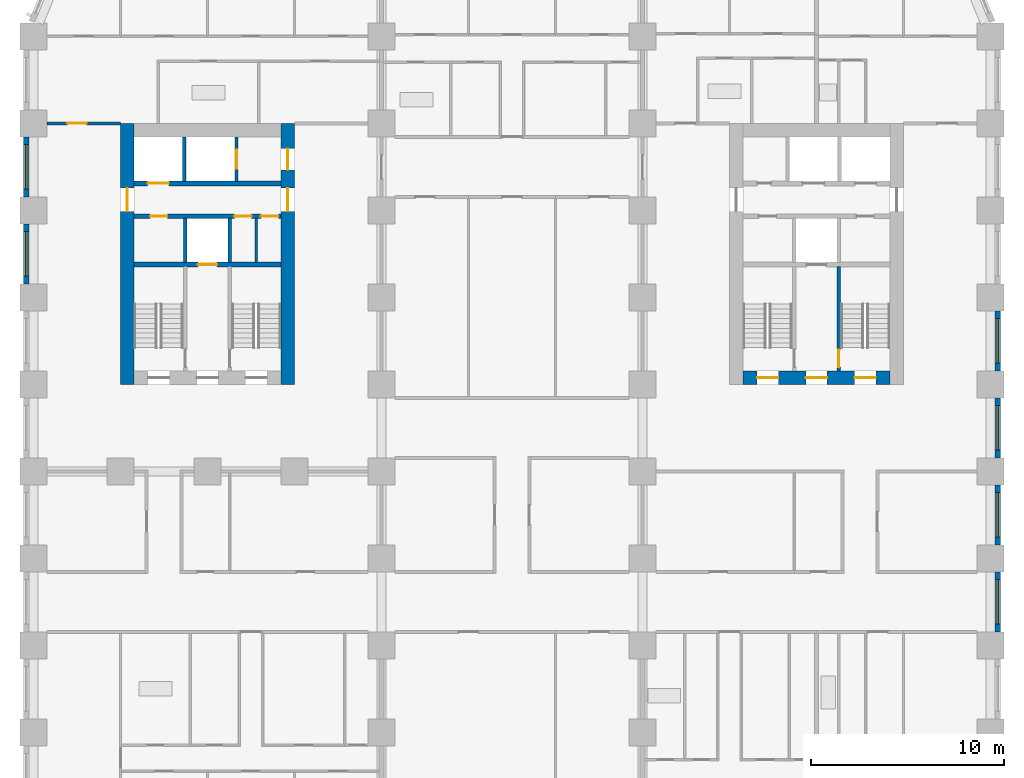
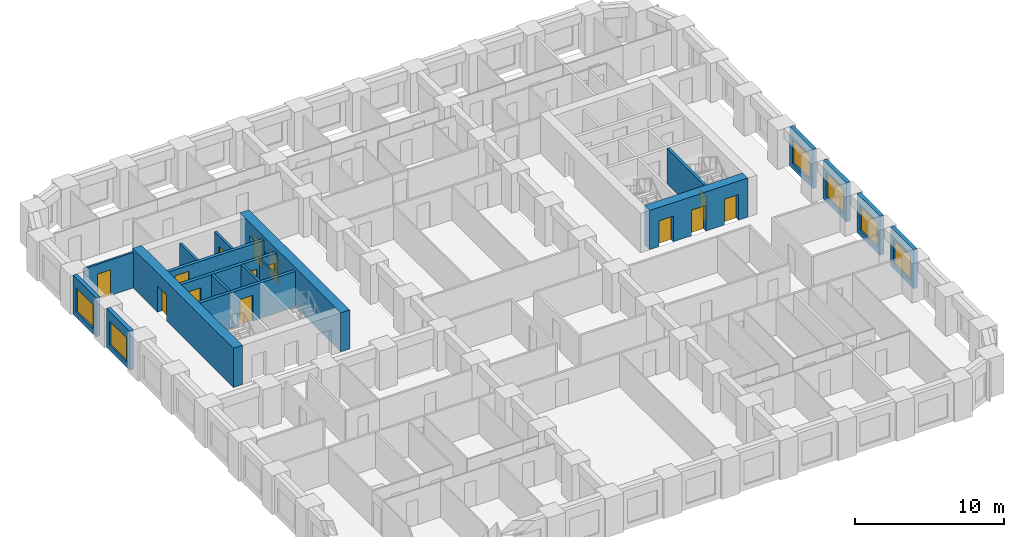
# One storey, part 6 of 13: 19 walls, 14 doors, 6 windows, 20 openings.
"""IFC4 building model written with IfcOpenShell, lengths in metres."""

from ifc_helpers import new_model, si_unit, direction, frame, frame_2d, origin, place, context, subcontext, project, spatial, rectangle, extrude, material, layer, layer_set, type_object, element, fill, save


model = new_model("IFC4")

# Units and contexts
model_context = context("Model", 3, precision=1e-05, world=origin(), true_north=direction((0.0, 1.0)))
body_context = subcontext(model_context, "Body", "Model", "MODEL_VIEW")
ifc_project = project(units=[si_unit("LENGTHUNIT", "METRE"), si_unit("AREAUNIT", "SQUARE_METRE"), si_unit("VOLUMEUNIT", "CUBIC_METRE"), si_unit("PLANEANGLEUNIT", "RADIAN"), si_unit("MASSUNIT", "GRAM", prefix="KILO")], contexts=[model_context])

# Site, building, storey
site_placement = place(None, origin())
site = spatial("IfcSite", under=ifc_project, at=site_placement, CompositionType="ELEMENT")
building_placement = place(site_placement, origin())
building = spatial("IfcBuilding", under=site, at=building_placement, Name="Girih Gate Residences", CompositionType="ELEMENT")
storey_placement = place(building_placement, frame((0.0, 0.0, 49.60009765625)))
storey = spatial("IfcBuildingStorey", under=building, at=storey_placement, Name="L12", CompositionType="ELEMENT", Elevation=49.60009765625)

# Wall, opening, door
ifc_material_1 = material(Name="Gypsum board on steel studs", Category="steel")
ifc_layer_1 = layer(ifc_material_1, 0.14990234375)
ifc_layer_set_1 = layer_set([ifc_layer_1], Name="Compartment wall 150 mm")
wall_type_1 = type_object("IfcWallType", Name="Compartment wall 150 mm", PredefinedType="PARTITIONING", material=ifc_layer_set_1)
wall_1_placement = place(storey_placement, frame((0.699951171875, 40.5, 0.0), z_axis=(0.0, 0.0, 1.0), x_axis=(1.0, 0.0, 0.0)))
wall_1 = element("IfcWall", 1, at=wall_1_placement, inside=storey, type_object=wall_type_1, Name="L12 partition", PredefinedType="PARTITIONING", context=body_context, shape_type="SweptSolid", body=[
    extrude(rectangle(XDim=3.800048828125, YDim=0.14990234375, at=frame_2d((1.89990234375, 0.0))), origin(), (0.0, 0.0, 1.0), 2.89990234375),
])
opening_1_placement = place(wall_1_placement, frame((1.050048828125, 0.0, 0.0)))
opening_1 = element("IfcOpeningElement", 2, at=opening_1_placement, cuts=wall_1, Name="Opening A12-016", PredefinedType="OPENING", context=body_context, shape_type="SweptSolid", body=[
    extrude(rectangle(XDim=1.0, YDim=2.10009765625, at=frame_2d((0.5, 1.050048828125))), frame((0.0, 0.0849609375, 0.0), z_axis=(0.0, -1.0, 0.0), x_axis=(1.0, 0.0, 0.0)), (0.0, 0.0, 1.0), 0.169921875),
])
ifc_material_2 = material(Name="Timber, fire-rated core", Category="wood")
door_type_1 = type_object("IfcDoorType", Name="Flat entrance door 1000x2100 FD30S", OperationType="NOTDEFINED", PredefinedType="DOOR", material=ifc_material_2)
door_1_placement = place(opening_1_placement, origin())
door_1 = element("IfcDoor", 3, at=door_1_placement, inside=storey, type_object=door_type_1, Name="Door A12-016", OperationType="SINGLE_SWING_LEFT", OverallHeight=2.10009765625, OverallWidth=1.0, PredefinedType="DOOR", context=body_context, shape_type="SweptSolid", body=[
    extrude(rectangle(XDim=1.0, YDim=2.10009765625, at=frame_2d((0.5, 1.050048828125))), frame((0.0, 0.02490234375, 0.0), z_axis=(0.0, -1.0, 0.0), x_axis=(1.0, 0.0, 0.0)), (0.0, 0.0, 1.0), 0.050048828125),
])
fill(opening_1, door_1)

ifc_material_3 = material(Name="Concrete C60/75", Category="concrete")
ifc_layer_2 = layer(ifc_material_3, 0.699951171875)
ifc_layer_set_2 = layer_set([ifc_layer_2], Name="Core wall RC 700 Concrete C60/75")
wall_type_2 = type_object("IfcWallType", Name="Core wall RC 700 Concrete C60/75", PredefinedType="SOLIDWALL", material=ifc_layer_set_2)
wall_2_placement = place(storey_placement, frame((4.85009765625, 27.0, 0.0), z_axis=(0.0, 0.0, 1.0), x_axis=(0.0, 1.0, 0.0)))
wall_2 = element("IfcWall", 4, at=wall_2_placement, inside=storey, type_object=wall_type_2, Name="Core wall W-W L12", PredefinedType="SOLIDWALL", context=body_context, shape_type="SweptSolid", body=[
    extrude(rectangle(XDim=13.5, YDim=0.699951171875, at=frame_2d((6.75, 0.0))), origin(), (0.0, 0.0, 1.0), 3.199951171875),
])
opening_2_placement = place(wall_2_placement, frame((8.949951171875, 0.0, 0.0)))
opening_2 = element("IfcOpeningElement", 5, at=opening_2_placement, cuts=wall_2, Name="Opening D-L12-W-013", PredefinedType="OPENING", context=body_context, shape_type="SweptSolid", body=[
    extrude(rectangle(XDim=1.199951171875, YDim=2.10009765625, at=frame_2d((0.60009765625, 1.050048828125))), frame((0.0, 0.35986328125, 0.0), z_axis=(0.0, -1.0, 0.0), x_axis=(1.0, 0.0, 0.0)), (0.0, 0.0, 1.0), 0.719970703125),
])
ifc_material_4 = material(Name="Painted steel, fire-resisting", Category="steel")
door_type_2 = type_object("IfcDoorType", Name="Fire door 1200x2100", OperationType="SINGLE_SWING_LEFT", PredefinedType="DOOR", material=ifc_material_4)
door_2_placement = place(opening_2_placement, origin())
door_2 = element("IfcDoor", 6, at=door_2_placement, inside=storey, type_object=door_type_2, Name="L12 W core door ll-w", OperationType="SINGLE_SWING_LEFT", OverallHeight=2.10009765625, OverallWidth=1.199951171875, PredefinedType="DOOR", context=body_context, shape_type="SweptSolid", body=[
    extrude(rectangle(XDim=1.199951171875, YDim=2.10009765625, at=frame_2d((0.60009765625, 1.050048828125))), frame((0.0, 0.02490234375, 0.0), z_axis=(0.0, -1.0, 0.0), x_axis=(1.0, 0.0, 0.0)), (0.0, 0.0, 1.0), 0.050048828125),
])
fill(opening_2, door_2)

# Wall, openings, doors
wall_3_placement = place(storey_placement, frame((13.14990234375, 27.0, 0.0), z_axis=(0.0, 0.0, 1.0), x_axis=(0.0, 1.0, 0.0)))
wall_3 = element("IfcWall", 7, at=wall_3_placement, inside=storey, type_object=wall_type_2, Name="Core wall W-E L12", PredefinedType="SOLIDWALL", context=body_context, shape_type="SweptSolid", body=[
    extrude(rectangle(XDim=13.5, YDim=0.699951171875, at=frame_2d((6.75, 0.0))), origin(), (0.0, 0.0, 1.0), 3.199951171875),
])
opening_3_placement = place(wall_3_placement, frame((11.10009765625, 0.0, 0.0)))
opening_3 = element("IfcOpeningElement", 8, at=opening_3_placement, cuts=wall_3, Name="Opening D-L12-W-012", PredefinedType="OPENING", context=body_context, shape_type="SweptSolid", body=[
    extrude(rectangle(XDim=1.10009765625, YDim=2.10009765625, at=frame_2d((0.550048828125, 1.050048828125))), frame((0.0, 0.35986328125, 0.0), z_axis=(0.0, -1.0, 0.0), x_axis=(1.0, 0.0, 0.0)), (0.0, 0.0, 1.0), 0.719970703125),
])
opening_4_placement = place(wall_3_placement, frame((8.949951171875, 0.0, 0.0)))
opening_4 = element("IfcOpeningElement", 9, at=opening_4_placement, cuts=wall_3, Name="Opening D-L12-W-014", PredefinedType="OPENING", context=body_context, shape_type="SweptSolid", body=[
    extrude(rectangle(XDim=1.199951171875, YDim=2.10009765625, at=frame_2d((0.60009765625, 1.050048828125))), frame((0.0, 0.35986328125, 0.0), z_axis=(0.0, -1.0, 0.0), x_axis=(1.0, 0.0, 0.0)), (0.0, 0.0, 1.0), 0.719970703125),
])
door_type_3 = type_object("IfcDoorType", Name="Fire door 1100x2100", OperationType="SINGLE_SWING_LEFT", PredefinedType="DOOR", material=ifc_material_4)
door_3_placement = place(opening_3_placement, origin())
door_3 = element("IfcDoor", 10, at=door_3_placement, inside=storey, type_object=door_type_3, Name="L12 W core door ffl2-e", OperationType="SINGLE_SWING_LEFT", OverallHeight=2.10009765625, OverallWidth=1.10009765625, PredefinedType="DOOR", context=body_context, shape_type="SweptSolid", body=[
    extrude(rectangle(XDim=1.10009765625, YDim=2.10009765625, at=frame_2d((0.550048828125, 1.050048828125))), frame((0.0, 0.02490234375, 0.0), z_axis=(0.0, -1.0, 0.0), x_axis=(1.0, 0.0, 0.0)), (0.0, 0.0, 1.0), 0.050048828125),
])
fill(opening_3, door_3)
door_4_placement = place(opening_4_placement, origin())
door_4 = element("IfcDoor", 11, at=door_4_placement, inside=storey, type_object=door_type_2, Name="L12 W core door ll-e", OperationType="SINGLE_SWING_LEFT", OverallHeight=2.10009765625, OverallWidth=1.199951171875, PredefinedType="DOOR", context=body_context, shape_type="SweptSolid", body=[
    extrude(rectangle(XDim=1.199951171875, YDim=2.10009765625, at=frame_2d((0.60009765625, 1.050048828125))), frame((0.0, 0.02490234375, 0.0), z_axis=(0.0, -1.0, 0.0), x_axis=(1.0, 0.0, 0.0)), (0.0, 0.0, 1.0), 0.050048828125),
])
fill(opening_4, door_4)

wall_4_placement = place(storey_placement, frame((36.699951171875, 27.35009765625, 0.0), z_axis=(0.0, 0.0, 1.0), x_axis=(1.0, 0.0, 0.0)))
wall_4 = element("IfcWall", 12, at=wall_4_placement, inside=storey, type_object=wall_type_2, Name="Core wall E-S L12", PredefinedType="SOLIDWALL", context=body_context, shape_type="SweptSolid", body=[
    extrude(rectangle(XDim=7.60009765625, YDim=0.699951171875, at=frame_2d((3.800048828125, 0.0))), origin(), (0.0, 0.0, 1.0), 3.199951171875),
])
opening_5_placement = place(wall_4_placement, frame((5.77490234375, 0.0, 0.0)))
opening_5 = element("IfcOpeningElement", 13, at=opening_5_placement, cuts=wall_4, Name="Opening D-L12-E-009", PredefinedType="OPENING", context=body_context, shape_type="SweptSolid", body=[
    extrude(rectangle(XDim=1.10009765625, YDim=2.10009765625, at=frame_2d((0.550048828125, 1.050048828125))), frame((0.0, 0.35986328125, 0.0), z_axis=(0.0, -1.0, 0.0), x_axis=(1.0, 0.0, 0.0)), (0.0, 0.0, 1.0), 0.719970703125),
])
opening_6_placement = place(wall_4_placement, frame((3.25, 0.0, 0.0)))
opening_6 = element("IfcOpeningElement", 14, at=opening_6_placement, cuts=wall_4, Name="Opening D-L12-E-010", PredefinedType="OPENING", context=body_context, shape_type="SweptSolid", body=[
    extrude(rectangle(XDim=1.10009765625, YDim=2.10009765625, at=frame_2d((0.550048828125, 1.050048828125))), frame((0.0, 0.35986328125, 0.0), z_axis=(0.0, -1.0, 0.0), x_axis=(1.0, 0.0, 0.0)), (0.0, 0.0, 1.0), 0.719970703125),
])
opening_7_placement = place(wall_4_placement, frame((0.72509765625, 0.0, 0.0)))
opening_7 = element("IfcOpeningElement", 15, at=opening_7_placement, cuts=wall_4, Name="Opening D-L12-E-011", PredefinedType="OPENING", context=body_context, shape_type="SweptSolid", body=[
    extrude(rectangle(XDim=1.10009765625, YDim=2.10009765625, at=frame_2d((0.550048828125, 1.050048828125))), frame((0.0, 0.35986328125, 0.0), z_axis=(0.0, -1.0, 0.0), x_axis=(1.0, 0.0, 0.0)), (0.0, 0.0, 1.0), 0.719970703125),
])
door_5_placement = place(opening_5_placement, origin())
door_5 = element("IfcDoor", 16, at=door_5_placement, inside=storey, type_object=door_type_3, Name="L12 E core door sta-out", OperationType="SINGLE_SWING_LEFT", OverallHeight=2.10009765625, OverallWidth=1.10009765625, PredefinedType="DOOR", context=body_context, shape_type="SweptSolid", body=[
    extrude(rectangle(XDim=1.10009765625, YDim=2.10009765625, at=frame_2d((0.550048828125, 1.050048828125))), frame((0.0, 0.02490234375, 0.0), z_axis=(0.0, -1.0, 0.0), x_axis=(1.0, 0.0, 0.0)), (0.0, 0.0, 1.0), 0.050048828125),
])
fill(opening_5, door_5)
door_6_placement = place(opening_6_placement, origin())
door_6 = element("IfcDoor", 17, at=door_6_placement, inside=storey, type_object=door_type_3, Name="L12 E core door ffl-out", OperationType="SINGLE_SWING_LEFT", OverallHeight=2.10009765625, OverallWidth=1.10009765625, PredefinedType="DOOR", context=body_context, shape_type="SweptSolid", body=[
    extrude(rectangle(XDim=1.10009765625, YDim=2.10009765625, at=frame_2d((0.550048828125, 1.050048828125))), frame((0.0, 0.02490234375, 0.0), z_axis=(0.0, -1.0, 0.0), x_axis=(1.0, 0.0, 0.0)), (0.0, 0.0, 1.0), 0.050048828125),
])
fill(opening_6, door_6)
door_7_placement = place(opening_7_placement, origin())
door_7 = element("IfcDoor", 18, at=door_7_placement, inside=storey, type_object=door_type_3, Name="L12 E core door stb-out", OperationType="SINGLE_SWING_LEFT", OverallHeight=2.10009765625, OverallWidth=1.10009765625, PredefinedType="DOOR", context=body_context, shape_type="SweptSolid", body=[
    extrude(rectangle(XDim=1.10009765625, YDim=2.10009765625, at=frame_2d((0.550048828125, 1.050048828125))), frame((0.0, 0.02490234375, 0.0), z_axis=(0.0, -1.0, 0.0), x_axis=(1.0, 0.0, 0.0)), (0.0, 0.0, 1.0), 0.050048828125),
])
fill(opening_7, door_7)

# Wall, opening, door
ifc_material_5 = material(Name="Concrete C40/50", Category="concrete")
ifc_layer_3 = layer(ifc_material_5, 0.25)
ifc_layer_set_3 = layer_set([ifc_layer_3], Name="Lift shaft wall 250")
wall_type_3 = type_object("IfcWallType", Name="Lift shaft wall 250", PredefinedType="SOLIDWALL", material=ifc_layer_set_3)
wall_5_placement = place(storey_placement, frame((5.199951171875, 33.199951171875, 0.0), z_axis=(0.0, 0.0, 1.0), x_axis=(1.0, 0.0, 0.0)))
wall_5 = element("IfcWall", 19, at=wall_5_placement, inside=storey, type_object=wall_type_3, Name="L12 W core wall H1", PredefinedType="SOLIDWALL", context=body_context, shape_type="SweptSolid", body=[
    extrude(rectangle(XDim=7.60009765625, YDim=0.25, at=frame_2d((3.800048828125, 0.0))), origin(), (0.0, 0.0, 1.0), 2.89990234375),
])
opening_8_placement = place(wall_5_placement, frame((3.300048828125, 0.0, 0.0)))
opening_8 = element("IfcOpeningElement", 20, at=opening_8_placement, cuts=wall_5, Name="Opening D-L12-W-005", PredefinedType="OPENING", context=body_context, shape_type="SweptSolid", body=[
    extrude(rectangle(XDim=1.0, YDim=2.10009765625, at=frame_2d((0.5, 1.050048828125))), frame((0.0, 0.135009765625, 0.0), z_axis=(0.0, -1.0, 0.0), x_axis=(1.0, 0.0, 0.0)), (0.0, 0.0, 1.0), 0.27001953125),
])
ifc_material_6 = material(Name="Stainless steel, fire-resisting", Category="steel")
door_type_4 = type_object("IfcDoorType", Name="Firefighting lift landing door 1000x2100", OperationType="SLIDING_TO_LEFT", PredefinedType="DOOR", material=ifc_material_6)
door_8_placement = place(opening_8_placement, origin())
door_8 = element("IfcDoor", 21, at=door_8_placement, inside=storey, type_object=door_type_4, Name="L12 lift FF-W landing door", OperationType="SLIDING_TO_LEFT", OverallHeight=2.10009765625, OverallWidth=1.0, PredefinedType="DOOR", context=body_context, shape_type="SweptSolid", body=[
    extrude(rectangle(XDim=1.0, YDim=2.10009765625, at=frame_2d((0.5, 1.050048828125))), frame((0.0, 0.02490234375, 0.0), z_axis=(0.0, -1.0, 0.0), x_axis=(1.0, 0.0, 0.0)), (0.0, 0.0, 1.0), 0.050048828125),
])
fill(opening_8, door_8)

# Wall, openings, doors
wall_6_placement = place(storey_placement, frame((5.199951171875, 35.699951171875, 0.0), z_axis=(0.0, 0.0, 1.0), x_axis=(1.0, 0.0, 0.0)))
wall_6 = element("IfcWall", 22, at=wall_6_placement, inside=storey, type_object=wall_type_3, Name="L12 W core wall H2", PredefinedType="SOLIDWALL", context=body_context, shape_type="SweptSolid", body=[
    extrude(rectangle(XDim=7.60009765625, YDim=0.25, at=frame_2d((3.800048828125, 0.0))), origin(), (0.0, 0.0, 1.0), 2.89990234375),
])
opening_9_placement = place(wall_6_placement, frame((0.824951171875, 0.0, 0.0)))
opening_9 = element("IfcOpeningElement", 23, at=opening_9_placement, cuts=wall_6, Name="Opening D-L12-W-006", PredefinedType="OPENING", context=body_context, shape_type="SweptSolid", body=[
    extrude(rectangle(XDim=0.89990234375, YDim=2.10009765625, at=frame_2d((0.449951171875, 1.050048828125))), frame((0.0, 0.135009765625, 0.0), z_axis=(0.0, -1.0, 0.0), x_axis=(1.0, 0.0, 0.0)), (0.0, 0.0, 1.0), 0.27001953125),
])
opening_10_placement = place(wall_6_placement, frame((5.1875, 0.0, 0.0)))
opening_10 = element("IfcOpeningElement", 24, at=opening_10_placement, cuts=wall_6, Name="Opening D-L12-W-007", PredefinedType="OPENING", context=body_context, shape_type="SweptSolid", body=[
    extrude(rectangle(XDim=0.89990234375, YDim=2.10009765625, at=frame_2d((0.449951171875, 1.050048828125))), frame((0.0, 0.135009765625, 0.0), z_axis=(0.0, -1.0, 0.0), x_axis=(1.0, 0.0, 0.0)), (0.0, 0.0, 1.0), 0.27001953125),
])
opening_11_placement = place(wall_6_placement, frame((6.5625, 0.0, 0.0)))
opening_11 = element("IfcOpeningElement", 25, at=opening_11_placement, cuts=wall_6, Name="Opening D-L12-W-008", PredefinedType="OPENING", context=body_context, shape_type="SweptSolid", body=[
    extrude(rectangle(XDim=0.89990234375, YDim=2.10009765625, at=frame_2d((0.449951171875, 1.050048828125))), frame((0.0, 0.135009765625, 0.0), z_axis=(0.0, -1.0, 0.0), x_axis=(1.0, 0.0, 0.0)), (0.0, 0.0, 1.0), 0.27001953125),
])
door_type_5 = type_object("IfcDoorType", Name="Fire door 900x2100", OperationType="SINGLE_SWING_LEFT", PredefinedType="DOOR", material=ifc_material_4)
door_9_placement = place(opening_9_placement, origin())
door_9 = element("IfcDoor", 26, at=door_9_placement, inside=storey, type_object=door_type_5, Name="L12 W linen store door", OperationType="SINGLE_SWING_LEFT", OverallHeight=2.10009765625, OverallWidth=0.89990234375, PredefinedType="DOOR", context=body_context, shape_type="SweptSolid", body=[
    extrude(rectangle(XDim=0.89990234375, YDim=2.10009765625, at=frame_2d((0.449951171875, 1.050048828125))), frame((0.0, 0.02490234375, 0.0), z_axis=(0.0, -1.0, 0.0), x_axis=(1.0, 0.0, 0.0)), (0.0, 0.0, 1.0), 0.050048828125),
])
fill(opening_9, door_9)
door_10_placement = place(opening_10_placement, origin())
door_10 = element("IfcDoor", 27, at=door_10_placement, inside=storey, type_object=door_type_5, Name="L12 W riser room door", OperationType="SINGLE_SWING_LEFT", OverallHeight=2.10009765625, OverallWidth=0.89990234375, PredefinedType="DOOR", context=body_context, shape_type="SweptSolid", body=[
    extrude(rectangle(XDim=0.89990234375, YDim=2.10009765625, at=frame_2d((0.449951171875, 1.050048828125))), frame((0.0, 0.02490234375, 0.0), z_axis=(0.0, -1.0, 0.0), x_axis=(1.0, 0.0, 0.0)), (0.0, 0.0, 1.0), 0.050048828125),
])
fill(opening_10, door_10)
door_11_placement = place(opening_11_placement, origin())
door_11 = element("IfcDoor", 28, at=door_11_placement, inside=storey, type_object=door_type_5, Name="L12 W linen store door", OperationType="SINGLE_SWING_LEFT", OverallHeight=2.10009765625, OverallWidth=0.89990234375, PredefinedType="DOOR", context=body_context, shape_type="SweptSolid", body=[
    extrude(rectangle(XDim=0.89990234375, YDim=2.10009765625, at=frame_2d((0.449951171875, 1.050048828125))), frame((0.0, 0.02490234375, 0.0), z_axis=(0.0, -1.0, 0.0), x_axis=(1.0, 0.0, 0.0)), (0.0, 0.0, 1.0), 0.050048828125),
])
fill(opening_11, door_11)

# Wall, opening, door
wall_7_placement = place(storey_placement, frame((5.199951171875, 37.39990234375, 0.0), z_axis=(0.0, 0.0, 1.0), x_axis=(1.0, 0.0, 0.0)))
wall_7 = element("IfcWall", 29, at=wall_7_placement, inside=storey, type_object=wall_type_3, Name="L12 W core wall H3", PredefinedType="SOLIDWALL", context=body_context, shape_type="SweptSolid", body=[
    extrude(rectangle(XDim=7.60009765625, YDim=0.25, at=frame_2d((3.800048828125, 0.0))), origin(), (0.0, 0.0, 1.0), 2.89990234375),
])
opening_12_placement = place(wall_7_placement, frame((0.699951171875, 0.0, 0.0)))
opening_12 = element("IfcOpeningElement", 30, at=opening_12_placement, cuts=wall_7, Name="Opening D-L12-W-003", PredefinedType="OPENING", context=body_context, shape_type="SweptSolid", body=[
    extrude(rectangle(XDim=1.10009765625, YDim=2.39990234375, at=frame_2d((0.550048828125, 1.199951171875))), frame((0.0, 0.135009765625, 0.0), z_axis=(0.0, -1.0, 0.0), x_axis=(1.0, 0.0, 0.0)), (0.0, 0.0, 1.0), 0.27001953125),
])
ifc_material_7 = material(Name="Stainless steel", Category="steel")
door_type_6 = type_object("IfcDoorType", Name="Lift landing door 1100x2400", OperationType="SLIDING_TO_LEFT", PredefinedType="DOOR", material=ifc_material_7)
door_12_placement = place(opening_12_placement, origin())
door_12 = element("IfcDoor", 31, at=door_12_placement, inside=storey, type_object=door_type_6, Name="L12 lift LR-W1 landing door", OperationType="SLIDING_TO_LEFT", OverallHeight=2.39990234375, OverallWidth=1.10009765625, PredefinedType="DOOR", context=body_context, shape_type="SweptSolid", body=[
    extrude(rectangle(XDim=1.10009765625, YDim=2.39990234375, at=frame_2d((0.550048828125, 1.199951171875))), frame((0.0, 0.02490234375, 0.0), z_axis=(0.0, -1.0, 0.0), x_axis=(1.0, 0.0, 0.0)), (0.0, 0.0, 1.0), 0.050048828125),
])
fill(opening_12, door_12)

# Wall, opening, window
ifc_material_8 = material(Name="Precast concrete C50/60", Category="concrete")
ifc_layer_4 = layer(ifc_material_8, 0.080078125, Name="Outer leaf")
ifc_material_9 = material(Name="Rigid PIR insulation")
ifc_layer_5 = layer(ifc_material_9, 0.14990234375, Name="Insulation")
ifc_material_10 = material(Name="Precast concrete C40/50", Category="concrete")
ifc_layer_6 = layer(ifc_material_10, 0.070068359375, Name="Inner leaf")
ifc_layer_set_4 = layer_set([ifc_layer_4, ifc_layer_5, ifc_layer_6], Name="Precast concrete C50/60 external wall 300")
wall_type_4 = type_object("IfcWallType", Name="Precast concrete C50/60 external wall 300", PredefinedType="SOLIDWALL", material=ifc_layer_set_4)
wall_8_placement = place(storey_placement, frame((49.875, 17.300048828125, 0.0), z_axis=(0.0, 0.0, 1.0), x_axis=(0.0, -1.0, 0.0)))
wall_8 = element("IfcWall", 32, at=wall_8_placement, inside=storey, type_object=wall_type_4, Name="External wall E0495_0045.2", PredefinedType="SOLIDWALL", context=body_context, shape_type="SweptSolid", body=[
    extrude(rectangle(XDim=3.10009765625, YDim=0.300048828125, at=frame_2d((1.550048828125, 0.0))), origin(), (0.0, 0.0, 1.0), 3.199951171875),
])
opening_13_placement = place(wall_8_placement, frame((0.39990234375, 0.0, 0.449951171875)))
opening_13 = element("IfcOpeningElement", 33, at=opening_13_placement, cuts=wall_8, Name="Opening W-1", PredefinedType="OPENING", context=body_context, shape_type="SweptSolid", body=[
    extrude(rectangle(XDim=2.300048828125, YDim=1.949951171875, at=frame_2d((1.14990234375, 0.97509765625))), frame((0.0, 0.159912109375, 0.0), z_axis=(0.0, -1.0, 0.0), x_axis=(1.0, 0.0, 0.0)), (0.0, 0.0, 1.0), 0.320068359375),
])
ifc_material_11 = material(Name="Double glazing in aluminium frame", Category="aluminium")
window_type = type_object("IfcWindowType", Name="Window W-1 2300x1950", PartitioningType="SINGLE_PANEL", PredefinedType="WINDOW", material=ifc_material_11)
window_1_placement = place(opening_13_placement, origin())
window_1 = element("IfcWindow", 34, at=window_1_placement, inside=storey, type_object=window_type, Name="Window W-1 E0495_0045.2", OverallHeight=1.949951171875, OverallWidth=2.300048828125, PartitioningType="SINGLE_PANEL", PredefinedType="WINDOW", context=body_context, shape_type="SweptSolid", body=[
    extrude(rectangle(XDim=2.300048828125, YDim=1.949951171875, at=frame_2d((1.14990234375, 0.97509765625))), frame((0.0, 0.030029296875, 0.0), z_axis=(0.0, -1.0, 0.0), x_axis=(1.0, 0.0, 0.0)), (0.0, 0.0, 1.0), 0.06005859375),
])
fill(opening_13, window_1)

wall_9_placement = place(storey_placement, frame((49.875, 21.800048828125, 0.0), z_axis=(0.0, 0.0, 1.0), x_axis=(0.0, -1.0, 0.0)))
wall_9 = element("IfcWall", 35, at=wall_9_placement, inside=storey, type_object=wall_type_4, Name="External wall E0495_0045.3", PredefinedType="SOLIDWALL", context=body_context, shape_type="SweptSolid", body=[
    extrude(rectangle(XDim=3.10009765625, YDim=0.300048828125, at=frame_2d((1.550048828125, 0.0))), origin(), (0.0, 0.0, 1.0), 3.199951171875),
])
opening_14_placement = place(wall_9_placement, frame((0.39990234375, 0.0, 0.449951171875)))
opening_14 = element("IfcOpeningElement", 36, at=opening_14_placement, cuts=wall_9, Name="Opening W-1", PredefinedType="OPENING", context=body_context, shape_type="SweptSolid", body=[
    extrude(rectangle(XDim=2.300048828125, YDim=1.949951171875, at=frame_2d((1.14990234375, 0.97509765625))), frame((0.0, 0.159912109375, 0.0), z_axis=(0.0, -1.0, 0.0), x_axis=(1.0, 0.0, 0.0)), (0.0, 0.0, 1.0), 0.320068359375),
])
window_2_placement = place(opening_14_placement, origin())
window_2 = element("IfcWindow", 37, at=window_2_placement, inside=storey, type_object=window_type, Name="Window W-1 E0495_0045.3", OverallHeight=1.949951171875, OverallWidth=2.300048828125, PartitioningType="SINGLE_PANEL", PredefinedType="WINDOW", context=body_context, shape_type="SweptSolid", body=[
    extrude(rectangle(XDim=2.300048828125, YDim=1.949951171875, at=frame_2d((1.14990234375, 0.97509765625))), frame((0.0, 0.030029296875, 0.0), z_axis=(0.0, -1.0, 0.0), x_axis=(1.0, 0.0, 0.0)), (0.0, 0.0, 1.0), 0.06005859375),
])
fill(opening_14, window_2)

wall_10_placement = place(storey_placement, frame((49.875, 26.300048828125, 0.0), z_axis=(0.0, 0.0, 1.0), x_axis=(0.0, -1.0, 0.0)))
wall_10 = element("IfcWall", 38, at=wall_10_placement, inside=storey, type_object=wall_type_4, Name="External wall E0495_0045.4", PredefinedType="SOLIDWALL", context=body_context, shape_type="SweptSolid", body=[
    extrude(rectangle(XDim=3.10009765625, YDim=0.300048828125, at=frame_2d((1.550048828125, 0.0))), origin(), (0.0, 0.0, 1.0), 3.199951171875),
])
opening_15_placement = place(wall_10_placement, frame((0.39990234375, 0.0, 0.449951171875)))
opening_15 = element("IfcOpeningElement", 39, at=opening_15_placement, cuts=wall_10, Name="Opening W-1", PredefinedType="OPENING", context=body_context, shape_type="SweptSolid", body=[
    extrude(rectangle(XDim=2.300048828125, YDim=1.949951171875, at=frame_2d((1.14990234375, 0.97509765625))), frame((0.0, 0.159912109375, 0.0), z_axis=(0.0, -1.0, 0.0), x_axis=(1.0, 0.0, 0.0)), (0.0, 0.0, 1.0), 0.320068359375),
])
window_3_placement = place(opening_15_placement, origin())
window_3 = element("IfcWindow", 40, at=window_3_placement, inside=storey, type_object=window_type, Name="Window W-1 E0495_0045.4", OverallHeight=1.949951171875, OverallWidth=2.300048828125, PartitioningType="SINGLE_PANEL", PredefinedType="WINDOW", context=body_context, shape_type="SweptSolid", body=[
    extrude(rectangle(XDim=2.300048828125, YDim=1.949951171875, at=frame_2d((1.14990234375, 0.97509765625))), frame((0.0, 0.030029296875, 0.0), z_axis=(0.0, -1.0, 0.0), x_axis=(1.0, 0.0, 0.0)), (0.0, 0.0, 1.0), 0.06005859375),
])
fill(opening_15, window_3)

wall_11_placement = place(storey_placement, frame((49.875, 30.800048828125, 0.0), z_axis=(0.0, 0.0, 1.0), x_axis=(0.0, -1.0, 0.0)))
wall_11 = element("IfcWall", 41, at=wall_11_placement, inside=storey, type_object=wall_type_4, Name="External wall E0495_0045.5", PredefinedType="SOLIDWALL", context=body_context, shape_type="SweptSolid", body=[
    extrude(rectangle(XDim=3.10009765625, YDim=0.300048828125, at=frame_2d((1.550048828125, 0.0))), origin(), (0.0, 0.0, 1.0), 3.199951171875),
])
opening_16_placement = place(wall_11_placement, frame((0.39990234375, 0.0, 0.449951171875)))
opening_16 = element("IfcOpeningElement", 42, at=opening_16_placement, cuts=wall_11, Name="Opening W-1", PredefinedType="OPENING", context=body_context, shape_type="SweptSolid", body=[
    extrude(rectangle(XDim=2.300048828125, YDim=1.949951171875, at=frame_2d((1.14990234375, 0.97509765625))), frame((0.0, 0.159912109375, 0.0), z_axis=(0.0, -1.0, 0.0), x_axis=(1.0, 0.0, 0.0)), (0.0, 0.0, 1.0), 0.320068359375),
])
window_4_placement = place(opening_16_placement, origin())
window_4 = element("IfcWindow", 43, at=window_4_placement, inside=storey, type_object=window_type, Name="Window W-1 E0495_0045.5", OverallHeight=1.949951171875, OverallWidth=2.300048828125, PartitioningType="SINGLE_PANEL", PredefinedType="WINDOW", context=body_context, shape_type="SweptSolid", body=[
    extrude(rectangle(XDim=2.300048828125, YDim=1.949951171875, at=frame_2d((1.14990234375, 0.97509765625))), frame((0.0, 0.030029296875, 0.0), z_axis=(0.0, -1.0, 0.0), x_axis=(1.0, 0.0, 0.0)), (0.0, 0.0, 1.0), 0.06005859375),
])
fill(opening_16, window_4)

wall_12_placement = place(storey_placement, frame((-0.375, 36.699951171875, 0.0), z_axis=(0.0, 0.0, 1.0), x_axis=(0.0, 1.0, 0.0)))
wall_12 = element("IfcWall", 44, at=wall_12_placement, inside=storey, type_object=wall_type_4, Name="External wall W0000_0450.1", PredefinedType="SOLIDWALL", context=body_context, shape_type="SweptSolid", body=[
    extrude(rectangle(XDim=3.10009765625, YDim=0.300048828125, at=frame_2d((1.550048828125, 0.0))), origin(), (0.0, 0.0, 1.0), 3.199951171875),
])
opening_17_placement = place(wall_12_placement, frame((0.39990234375, 0.0, 0.449951171875)))
opening_17 = element("IfcOpeningElement", 45, at=opening_17_placement, cuts=wall_12, Name="Opening W-1", PredefinedType="OPENING", context=body_context, shape_type="SweptSolid", body=[
    extrude(rectangle(XDim=2.300048828125, YDim=1.949951171875, at=frame_2d((1.14990234375, 0.97509765625))), frame((0.0, 0.159912109375, 0.0), z_axis=(0.0, -1.0, 0.0), x_axis=(1.0, 0.0, 0.0)), (0.0, 0.0, 1.0), 0.320068359375),
])
window_5_placement = place(opening_17_placement, origin())
window_5 = element("IfcWindow", 46, at=window_5_placement, inside=storey, type_object=window_type, Name="Window W-1 W0000_0450.1", OverallHeight=1.949951171875, OverallWidth=2.300048828125, PartitioningType="SINGLE_PANEL", PredefinedType="WINDOW", context=body_context, shape_type="SweptSolid", body=[
    extrude(rectangle(XDim=2.300048828125, YDim=1.949951171875, at=frame_2d((1.14990234375, 0.97509765625))), frame((0.0, 0.030029296875, 0.0), z_axis=(0.0, -1.0, 0.0), x_axis=(1.0, 0.0, 0.0)), (0.0, 0.0, 1.0), 0.06005859375),
])
fill(opening_17, window_5)

wall_13_placement = place(storey_placement, frame((-0.375, 32.199951171875, 0.0), z_axis=(0.0, 0.0, 1.0), x_axis=(0.0, 1.0, 0.0)))
wall_13 = element("IfcWall", 47, at=wall_13_placement, inside=storey, type_object=wall_type_4, Name="External wall W0000_0450.2", PredefinedType="SOLIDWALL", context=body_context, shape_type="SweptSolid", body=[
    extrude(rectangle(XDim=3.10009765625, YDim=0.300048828125, at=frame_2d((1.550048828125, 0.0))), origin(), (0.0, 0.0, 1.0), 3.199951171875),
])
opening_18_placement = place(wall_13_placement, frame((0.39990234375, 0.0, 0.449951171875)))
opening_18 = element("IfcOpeningElement", 48, at=opening_18_placement, cuts=wall_13, Name="Opening W-1", PredefinedType="OPENING", context=body_context, shape_type="SweptSolid", body=[
    extrude(rectangle(XDim=2.300048828125, YDim=1.949951171875, at=frame_2d((1.14990234375, 0.97509765625))), frame((0.0, 0.159912109375, 0.0), z_axis=(0.0, -1.0, 0.0), x_axis=(1.0, 0.0, 0.0)), (0.0, 0.0, 1.0), 0.320068359375),
])
window_6_placement = place(opening_18_placement, origin())
window_6 = element("IfcWindow", 49, at=window_6_placement, inside=storey, type_object=window_type, Name="Window W-1 W0000_0450.2", OverallHeight=1.949951171875, OverallWidth=2.300048828125, PartitioningType="SINGLE_PANEL", PredefinedType="WINDOW", context=body_context, shape_type="SweptSolid", body=[
    extrude(rectangle(XDim=2.300048828125, YDim=1.949951171875, at=frame_2d((1.14990234375, 0.97509765625))), frame((0.0, 0.030029296875, 0.0), z_axis=(0.0, -1.0, 0.0), x_axis=(1.0, 0.0, 0.0)), (0.0, 0.0, 1.0), 0.06005859375),
])
fill(opening_18, window_6)

# Wall
ifc_layer_7 = layer(ifc_material_5, 0.175048828125)
ifc_layer_set_5 = layer_set([ifc_layer_7], Name="Riser shaft wall 175")
wall_type_5 = type_object("IfcWallType", Name="Riser shaft wall 175", PredefinedType="SOLIDWALL", material=ifc_layer_set_5)
wall_14_placement = place(storey_placement, frame((7.800048828125, 37.5, 0.0), z_axis=(0.0, 0.0, 1.0), x_axis=(0.0, 1.0, 0.0)))
element("IfcWall", 50, at=wall_14_placement, inside=storey, type_object=wall_type_5, Name="L12 W core wall V1c", PredefinedType="SOLIDWALL", context=body_context, shape_type="SweptSolid", body=[
    extrude(rectangle(XDim=2.300048828125, YDim=0.175048828125, at=frame_2d((1.14990234375, 0.0))), origin(), (0.0, 0.0, 1.0), 2.89990234375),
])

# Wall, opening, door
wall_15_placement = place(storey_placement, frame((10.5, 37.5, 0.0), z_axis=(0.0, 0.0, 1.0), x_axis=(0.0, 1.0, 0.0)))
wall_15 = element("IfcWall", 51, at=wall_15_placement, inside=storey, type_object=wall_type_5, Name="L12 W core wall V2c", PredefinedType="SOLIDWALL", context=body_context, shape_type="SweptSolid", body=[
    extrude(rectangle(XDim=2.300048828125, YDim=0.175048828125, at=frame_2d((1.14990234375, 0.0))), origin(), (0.0, 0.0, 1.0), 2.89990234375),
])
opening_19_placement = place(wall_15_placement, frame((0.64990234375, 0.0, 0.0)))
opening_19 = element("IfcOpeningElement", 52, at=opening_19_placement, cuts=wall_15, Name="Opening D-L12-W-004", PredefinedType="OPENING", context=body_context, shape_type="SweptSolid", body=[
    extrude(rectangle(XDim=1.0, YDim=2.10009765625, at=frame_2d((0.5, 1.050048828125))), frame((0.0, 0.097412109375, 0.0), z_axis=(0.0, -1.0, 0.0), x_axis=(1.0, 0.0, 0.0)), (0.0, 0.0, 1.0), 0.195068359375),
])
door_13_placement = place(opening_19_placement, origin())
door_13 = element("IfcDoor", 53, at=door_13_placement, inside=storey, type_object=door_type_4, Name="L12 lift FF-W2 landing door", OperationType="SLIDING_TO_LEFT", OverallHeight=2.10009765625, OverallWidth=1.0, PredefinedType="DOOR", context=body_context, shape_type="SweptSolid", body=[
    extrude(rectangle(XDim=1.0, YDim=2.10009765625, at=frame_2d((0.5, 1.050048828125))), frame((0.0, 0.02490234375, 0.0), z_axis=(0.0, -1.0, 0.0), x_axis=(1.0, 0.0, 0.0)), (0.0, 0.0, 1.0), 0.050048828125),
])
fill(opening_19, door_13)

# Walls
ifc_layer_8 = layer(ifc_material_5, 0.199951171875)
ifc_layer_set_6 = layer_set([ifc_layer_8], Name="Shaft wall 200")
wall_type_6 = type_object("IfcWallType", Name="Shaft wall 200", PredefinedType="SOLIDWALL", material=ifc_layer_set_6)
for number, where, z_axis, x_axis, name in (
    (54, (7.85009765625, 33.300048828125, 0.0), (0.0, 0.0, 1.0), (0.0, 1.0, 0.0), "L12 W core wall V1b"),
    (55, (10.14990234375, 33.300048828125, 0.0), (0.0, 0.0, 1.0), (0.0, 1.0, 0.0), "L12 W core wall V2b"),
):
    element("IfcWall", number, at=place(storey_placement, frame(where, z_axis=z_axis, x_axis=x_axis)), inside=storey, type_object=wall_type_6, Name=name, PredefinedType="SOLIDWALL", context=body_context, shape_type="SweptSolid", body=[
        extrude(rectangle(XDim=2.300048828125, YDim=0.199951171875, at=frame_2d((1.14990234375, 0.0))), origin(), (0.0, 0.0, 1.0), 2.89990234375),
    ])

# Wall, opening, door
wall_16_placement = place(storey_placement, frame((41.64990234375, 27.699951171875, 0.0), z_axis=(0.0, 0.0, 1.0), x_axis=(0.0, 1.0, 0.0)))
wall_16 = element("IfcWall", 56, at=wall_16_placement, inside=storey, type_object=wall_type_6, Name="L12 E core wall V1a", PredefinedType="SOLIDWALL", context=body_context, shape_type="SweptSolid", body=[
    extrude(rectangle(XDim=5.400146484375, YDim=0.199951171875, at=frame_2d((2.7001953125, 0.0))), origin(), (0.0, 0.0, 1.0), 2.89990234375),
])
opening_20_placement = place(wall_16_placement, frame((0.199951171875, 0.0, 0.0)))
opening_20 = element("IfcOpeningElement", 57, at=opening_20_placement, cuts=wall_16, Name="Opening D-L12-E-001", PredefinedType="OPENING", context=body_context, shape_type="SweptSolid", body=[
    extrude(rectangle(XDim=0.89990234375, YDim=2.10009765625, at=frame_2d((0.449951171875, 1.050048828125))), frame((0.0, 0.10986328125, 0.0), z_axis=(0.0, -1.0, 0.0), x_axis=(1.0, 0.0, 0.0)), (0.0, 0.0, 1.0), 0.219970703125),
])
door_14_placement = place(opening_20_placement, origin())
door_14 = element("IfcDoor", 58, at=door_14_placement, inside=storey, type_object=door_type_5, Name="L12 E door stair 1 to firefighting lobby", OperationType="SINGLE_SWING_LEFT", OverallHeight=2.10009765625, OverallWidth=0.89990234375, PredefinedType="DOOR", context=body_context, shape_type="SweptSolid", body=[
    extrude(rectangle(XDim=0.89990234375, YDim=2.10009765625, at=frame_2d((0.449951171875, 1.050048828125))), frame((0.0, 0.02490234375, 0.0), z_axis=(0.0, -1.0, 0.0), x_axis=(1.0, 0.0, 0.0)), (0.0, 0.0, 1.0), 0.050048828125),
])
fill(opening_20, door_14)

# Wall
ifc_material_12 = material(Name="Calcium silicate blockwork", Category="masonry")
ifc_layer_9 = layer(ifc_material_12, 0.125)
ifc_layer_set_7 = layer_set([ifc_layer_9], Name="Store partition 125")
wall_type_7 = type_object("IfcWallType", Name="Store partition 125", PredefinedType="PARTITIONING", material=ifc_layer_set_7)
wall_17_placement = place(storey_placement, frame((11.52490234375, 33.300048828125, 0.0), z_axis=(0.0, 0.0, 1.0), x_axis=(0.0, 1.0, 0.0)))
element("IfcWall", 59, at=wall_17_placement, inside=storey, type_object=wall_type_7, Name="L12 W core wall SHR2", PredefinedType="PARTITIONING", context=body_context, shape_type="SweptSolid", body=[
    extrude(rectangle(XDim=2.300048828125, YDim=0.125, at=frame_2d((1.14990234375, 0.0))), origin(), (0.0, 0.0, 1.0), 2.89990234375),
])

save(model, "model.ifc")
